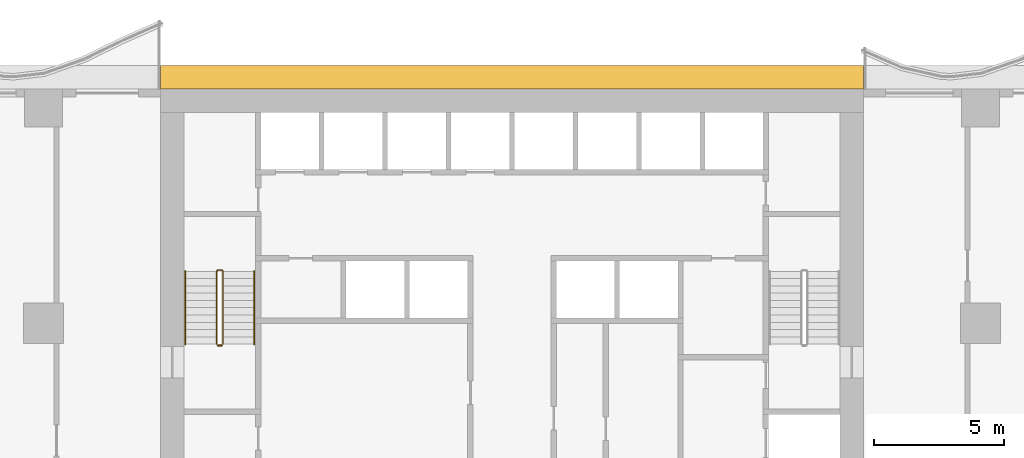
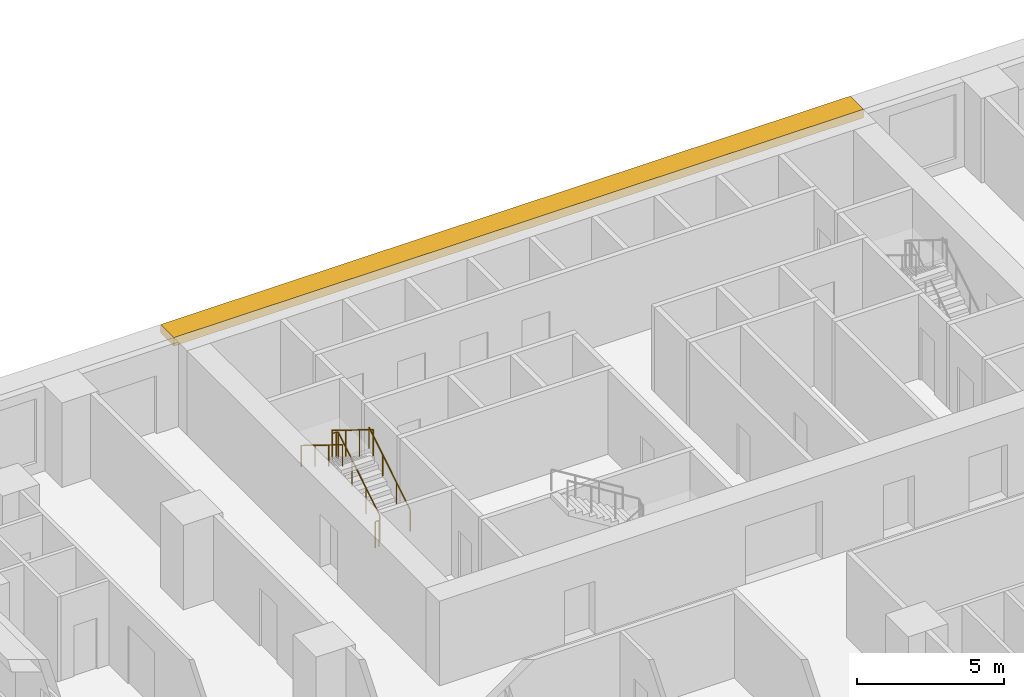
# One storey, part 12 of 14: 4 railings, 1 shading device.
"""IFC4 building model written with IfcOpenShell, lengths in metres."""

from ifc_helpers import new_model, si_unit, direction, frame, origin, origin_2d, place, context, subcontext, project, spatial, polyline, circle, outline, extrude, material, layer, layer_set, type_object, element, save


model = new_model("IFC4")

# Units and contexts
model_context = context("Model", 3, precision=1e-05, world=origin(), true_north=direction((0.0, 1.0)))
body_context = subcontext(model_context, "Body", "Model", "MODEL_VIEW")
ifc_project = project(units=[si_unit("LENGTHUNIT", "METRE"), si_unit("AREAUNIT", "SQUARE_METRE"), si_unit("VOLUMEUNIT", "CUBIC_METRE"), si_unit("PLANEANGLEUNIT", "RADIAN"), si_unit("MASSUNIT", "GRAM", prefix="KILO")], contexts=[model_context])

# Site, building, storey
site_placement = place(None, origin())
site = spatial("IfcSite", under=ifc_project, at=site_placement, CompositionType="ELEMENT")
building_placement = place(site_placement, origin())
building = spatial("IfcBuilding", under=site, at=building_placement, Name="Orbiselva Terraces", CompositionType="ELEMENT")
storey_placement = place(building_placement, frame((0.0, 0.0, 26.4)))
storey = spatial("IfcBuildingStorey", under=building, at=storey_placement, Name="L06", CompositionType="ELEMENT", Elevation=26.4)

# Railings
ifc_material_1 = material(Name="Stainless steel", Category="steel")
railing_type_1 = type_object("IfcRailingType", Name="CORE-GUARD-1100", PredefinedType="GUARDRAIL", material=ifc_material_1)
railing_1_placement = place(storey_placement, frame((-11.1, 12.7, 0.172727)))
element("IfcRailing", 1, at=railing_1_placement, inside=storey, type_object=railing_type_1, Name="L06 S1 stair guard 1", PredefinedType="GUARDRAIL", context=body_context, shape_type="SweptSolid", body=[
    extrude(circle(Radius=0.024, at=origin_2d()), frame((0.0, 0.0, 1.081), z_axis=(0.0, 0.851088519012, 0.52502222125), x_axis=(-1.0, 0.0, 0.0)), (0.0, 0.0, 1.0), 3.289905),
    extrude(circle(Radius=0.024, at=origin_2d()), frame((0.0, 2.8, 2.808273), z_axis=(-0.707106781187, 0.707106781187, 0.0), x_axis=(-0.707106781187, -0.707106781187, 0.0)), (0.0, 0.0, 1.0), 0.070711),
    extrude(circle(Radius=0.024, at=origin_2d()), frame((-0.05, 2.85, 2.808273), z_axis=(-1.0, 0.0, 0.0), x_axis=(0.0, -1.0, 0.0)), (0.0, 0.0, 1.0), 0.15),
    extrude(circle(Radius=0.024, at=origin_2d()), frame((-0.2, 2.85, 2.808273), z_axis=(-0.267894925557, -0.267894925557, 0.925453736133), x_axis=(0.707106781187, -0.707106781187, 0.0)), (0.0, 0.0, 1.0), 0.18664),
    extrude(circle(Radius=0.024, at=origin_2d()), frame((-0.25, 2.8, 2.981), z_axis=(0.0, -0.851088519012, 0.52502222125), x_axis=(1.0, 0.0, 0.0)), (0.0, 0.0, 1.0), 3.289905),
    extrude(circle(Radius=0.021, at=origin_2d()), origin(), (0.0, 0.0, 1.0), 1.057),
    extrude(circle(Radius=0.021, at=origin_2d()), frame((0.0, 0.933333, 0.575758)), (0.0, 0.0, 1.0), 1.057),
    extrude(circle(Radius=0.021, at=origin_2d()), frame((0.0, 1.866667, 1.151515)), (0.0, 0.0, 1.0), 1.057),
    extrude(circle(Radius=0.021, at=origin_2d()), frame((0.0, 2.8, 1.727273)), (0.0, 0.0, 1.0), 1.057),
    extrude(circle(Radius=0.021, at=origin_2d()), frame((-0.05, 2.85, 1.727273)), (0.0, 0.0, 1.0), 1.057),
    extrude(circle(Radius=0.021, at=origin_2d()), frame((-0.2, 2.85, 1.727273)), (0.0, 0.0, 1.0), 1.057),
    extrude(circle(Radius=0.021, at=origin_2d()), frame((-0.25, 2.8, 1.9)), (0.0, 0.0, 1.0), 1.057),
    extrude(circle(Radius=0.021, at=origin_2d()), frame((-0.25, 1.866667, 2.475758)), (0.0, 0.0, 1.0), 1.057),
    extrude(circle(Radius=0.021, at=origin_2d()), frame((-0.25, 0.933333, 3.051515)), (0.0, 0.0, 1.0), 1.057),
    extrude(circle(Radius=0.021, at=origin_2d()), frame((-0.25, 0.0, 3.627273)), (0.0, 0.0, 1.0), 1.057),
])
railing_2_placement = place(storey_placement, frame((-11.15, 12.65, 0.0)))
element("IfcRailing", 2, at=railing_2_placement, inside=storey, type_object=railing_type_1, Name="L06 S1 stair guard 2", PredefinedType="GUARDRAIL", context=body_context, shape_type="SweptSolid", body=[
    extrude(circle(Radius=0.024, at=origin_2d()), frame((0.0, 0.0, 1.081), z_axis=(-1.0, 0.0, 0.0), x_axis=(0.0, -1.0, 0.0)), (0.0, 0.0, 1.0), 0.15),
    extrude(circle(Radius=0.021, at=origin_2d()), origin(), (0.0, 0.0, 1.0), 1.057),
    extrude(circle(Radius=0.021, at=origin_2d()), frame((-0.15, 0.0, 0.0)), (0.0, 0.0, 1.0), 1.057),
])
railing_type_2 = type_object("IfcRailingType", Name="CORE-HANDRAIL-900", PredefinedType="HANDRAIL", material=ifc_material_1)
railing_3_placement = place(storey_placement, frame((-9.9, 12.7, 0.172727)))
element("IfcRailing", 3, at=railing_3_placement, inside=storey, type_object=railing_type_2, Name="L06 S1 stair handrail 1", PredefinedType="HANDRAIL", context=body_context, shape_type="SweptSolid", body=[
    extrude(circle(Radius=0.024, at=origin_2d()), frame((0.0, 0.0, 0.876), z_axis=(0.0, 0.851088519012, 0.52502222125), x_axis=(-1.0, 0.0, 0.0)), (0.0, 0.0, 1.0), 3.289905),
    extrude(circle(Radius=0.021, at=origin_2d()), origin(), (0.0, 0.0, 1.0), 0.852),
    extrude(circle(Radius=0.021, at=origin_2d()), frame((0.0, 0.933333, 0.575758)), (0.0, 0.0, 1.0), 0.852),
    extrude(circle(Radius=0.021, at=origin_2d()), frame((0.0, 1.866667, 1.151515)), (0.0, 0.0, 1.0), 0.852),
    extrude(circle(Radius=0.021, at=origin_2d()), frame((0.0, 2.8, 1.727273)), (0.0, 0.0, 1.0), 0.852),
])
railing_4_placement = place(storey_placement, frame((-12.55, 15.5, 2.072727)))
element("IfcRailing", 4, at=railing_4_placement, inside=storey, type_object=railing_type_2, Name="L06 S1 stair handrail 2", PredefinedType="HANDRAIL", context=body_context, shape_type="SweptSolid", body=[
    extrude(circle(Radius=0.024, at=origin_2d()), frame((0.0, 0.0, 0.876), z_axis=(0.0, -0.851088519012, 0.52502222125), x_axis=(1.0, 0.0, 0.0)), (0.0, 0.0, 1.0), 3.289905),
    extrude(circle(Radius=0.021, at=origin_2d()), origin(), (0.0, 0.0, 1.0), 0.852),
    extrude(circle(Radius=0.021, at=origin_2d()), frame((0.0, -0.933333, 0.575758)), (0.0, 0.0, 1.0), 0.852),
    extrude(circle(Radius=0.021, at=origin_2d()), frame((0.0, -1.866667, 1.151515)), (0.0, 0.0, 1.0), 0.852),
    extrude(circle(Radius=0.021, at=origin_2d()), frame((0.0, -2.8, 1.727273)), (0.0, 0.0, 1.0), 0.852),
])

# Shading device
ifc_material_2 = material(Name="Terracotta baguette sunshade", Category="masonry")
ifc_layer = layer(ifc_material_2, 0.35)
ifc_layer_set = layer_set([ifc_layer], Name="Terracotta baguette sunshade")
shading_device_type = type_object("IfcShadingDeviceType", Name="ENV-SUNSHADE-900x350", PredefinedType="USERDEFINED", material=ifc_layer_set)
shading_device_placement = place(storey_placement, frame((0.0, 0.0, 3.15)))
element("IfcShadingDevice", 5, at=shading_device_placement, inside=storey, type_object=shading_device_type, Name="Sunshade band L06 CORE NORTH", ObjectType="SUNSHADE", PredefinedType="USERDEFINED", context=body_context, shape_type="SweptSolid", body=[
    extrude(outline(polyline([(13.5, 23.4), (-13.5, 23.4), (-13.5, 22.5), (13.5, 22.5), (13.5, 23.4)])), origin(), (0.0, 0.0, 1.0), 0.35),
])

save(model, "model.ifc")
